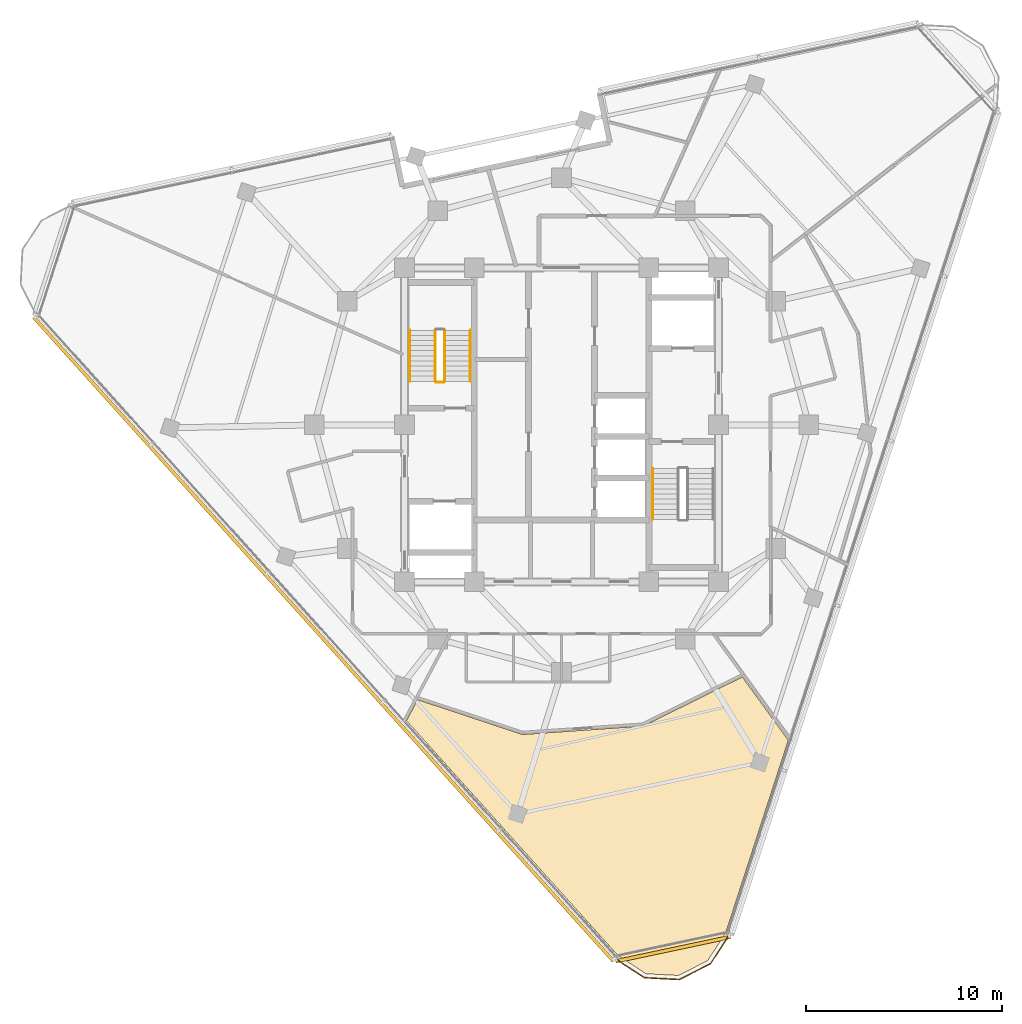
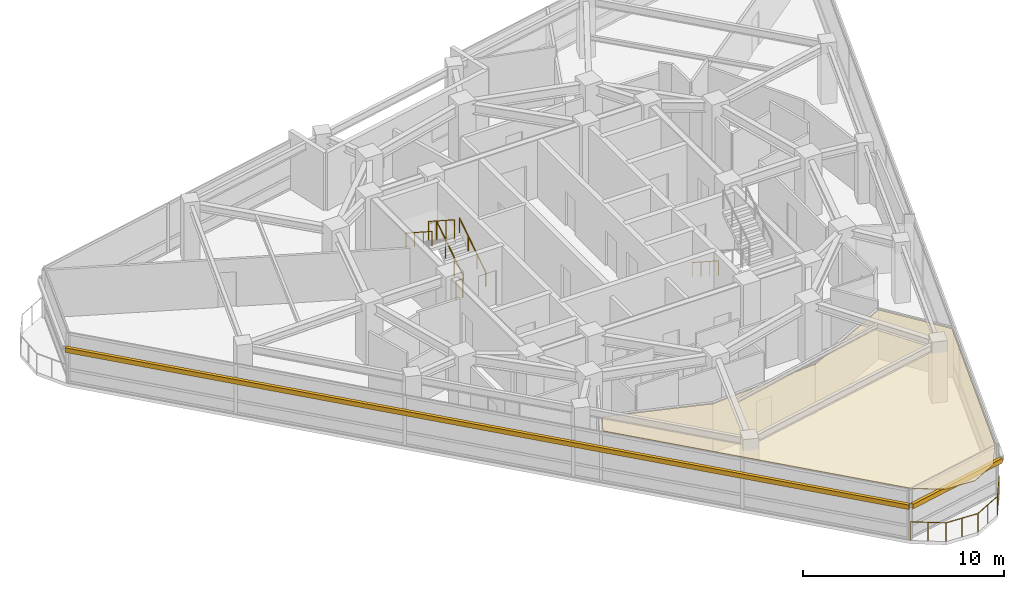
# One storey, part 12 of 15: 7 railings, 2 shading devices, 1 covering.
"""IFC4 building model written with IfcOpenShell, lengths in metres."""

from ifc_helpers import new_model, si_unit, direction, frame, origin, origin_2d, place, context, subcontext, project, spatial, polyline, rectangle, circle, outline, extrude, material, layer, layer_set, type_object, element, save


model = new_model("IFC4")

# Units and contexts
model_context = context("Model", 3, precision=1e-05, world=origin(), true_north=direction((0.0, 1.0)))
body_context = subcontext(model_context, "Body", "Model", "MODEL_VIEW")
ifc_project = project(units=[si_unit("LENGTHUNIT", "METRE"), si_unit("AREAUNIT", "SQUARE_METRE"), si_unit("VOLUMEUNIT", "CUBIC_METRE"), si_unit("PLANEANGLEUNIT", "RADIAN"), si_unit("MASSUNIT", "GRAM", prefix="KILO")], contexts=[model_context])

# Site, building, storey
site_placement = place(None, origin())
site = spatial("IfcSite", under=ifc_project, at=site_placement, CompositionType="ELEMENT")
building_placement = place(site_placement, origin())
building = spatial("IfcBuilding", under=site, at=building_placement, Name="Terralouvre Media Tower", CompositionType="ELEMENT")
storey_placement = place(building_placement, frame((0.0, 0.0, 298.0)))
storey = spatial("IfcBuildingStorey", under=building, at=storey_placement, Name="L77", CompositionType="ELEMENT", Elevation=298.0)

# Covering
ifc_material_1 = material(Name="Perforated aluminium acoustic ceiling baffle", Category="aluminium")
ifc_layer_1 = layer(ifc_material_1, 0.0400390625, Name="Perforated Acoustic Metal Tile Ceiling CL-AC1")
ifc_layer_set_1 = layer_set([ifc_layer_1], Name="Perforated aluminium acoustic ceiling baffle")
covering_type = type_object("IfcCoveringType", Name="Perforated Acoustic Metal Tile Ceiling CL-AC1", PredefinedType="CEILING", material=ifc_layer_set_1)
covering_placement = place(storey_placement, frame((0.0, 0.0, 2.97998046875), z_axis=(0.0, 0.0, 1.0), x_axis=(0.309016994375, 0.951056516295, 0.0)))
element("IfcCovering", 1, at=covering_placement, inside=storey, type_object=covering_type, Name="L77 UX Sprint Project Conference Room 4 Acoustic Ceiling", PredefinedType="CEILING", context=body_context, shape_type="SweptSolid", body=[
    extrude(outline(polyline([(-13.297607421875, -8.714111328125), (-13.30419921875, -8.706787109375), (-13.309814453125, -8.698974609375), (-13.314697265625, -8.6904296875), (-13.31884765625, -8.681640625), (-15.611572265625, -3.00732421875), (-15.61474609375, -2.998046875), (-15.616943359375, -2.98876953125), (-15.618408203125, -2.97900390625), (-15.618896484375, -2.96923828125), (-15.586181640625, 2.646484375), (-16.77587890625, 2.856689453125), (-24.83447265625, -11.10107421875), (-25.272705078125, -12.736083984375), (-24.841552734375, -14.342041015625), (-23.666015625, -15.518310546875), (-22.03125, -15.9560546875), (-11.716064453125, -15.95654296875), (-9.373046875, -12.730224609375), (-13.297607421875, -8.714111328125)])), origin(), (0.0, 0.0, 1.0), 0.0400390625),
])

# Railings
ifc_material_2 = material(Name="Stainless steel 316 handrail and balustrade", Category="steel")
ifc_layer_2 = layer(ifc_material_2, 0.06005859375, Name="Roof Edge Safety Guardrail GR-ROOF1")
ifc_layer_set_2 = layer_set([ifc_layer_2], Name="Stainless steel 316 handrail and balustrade")
railing_type_1 = type_object("IfcRailingType", Name="Roof Edge Safety Guardrail GR-ROOF1", PredefinedType="GUARDRAIL", material=ifc_layer_set_2)
railing_1_placement = place(storey_placement, frame((2.738037109375, -27.202880859375, 0.0)))
element("IfcRailing", 2, at=railing_1_placement, inside=storey, type_object=railing_type_1, Name="L77 Wind-Corner Perimeter Safety Guardrail C0", PredefinedType="GUARDRAIL", context=body_context, shape_type="SweptSolid", body=[
    extrude(circle(Radius=0.02099609375, at=origin_2d()), frame((0.0, 0.0, 1.12890625), z_axis=(0.838512544294, -0.544882292849, 0.0), x_axis=(0.544882292849, 0.838512544294, 0.0)), (0.0, 0.0, 1.0), 1.780029296875),
    extrude(circle(Radius=0.02099609375, at=origin_2d()), frame((1.49267578125, -0.969970703125, 1.12890625), z_axis=(0.998626153307, -0.052400438264, 0.0), x_axis=(0.052400438264, 0.998626153307, 0.0)), (0.0, 0.0, 1.0), 1.77978515625),
    extrude(circle(Radius=0.02099609375, at=origin_2d()), frame((3.27001953125, -1.063232421875, 1.12890625), z_axis=(0.890999717441, 0.454003858487, 0.0), x_axis=(-0.454003858487, 0.890999717441, 0.0)), (0.0, 0.0, 1.0), 1.780029296875),
    extrude(circle(Radius=0.02099609375, at=origin_2d()), frame((4.85595703125, -0.255126953125, 1.12890625), z_axis=(0.544371122697, 0.838844491413, 0.0), x_axis=(-0.838844491413, 0.544371122697, 0.0)), (0.0, 0.0, 1.0), 1.780029296875),
    extrude(circle(Radius=0.01904296875, at=origin_2d()), origin(), (0.0, 0.0, 1.0), 1.10791015625),
    extrude(circle(Radius=0.01904296875, at=origin_2d()), frame((0.746337890625, -0.48486328125, 0.0)), (0.0, 0.0, 1.0), 1.10791015625),
    extrude(circle(Radius=0.01904296875, at=origin_2d()), frame((1.49267578125, -0.969970703125, 0.0)), (0.0, 0.0, 1.0), 1.10791015625),
    extrude(circle(Radius=0.01904296875, at=origin_2d()), frame((2.38134765625, -1.0166015625, 0.0)), (0.0, 0.0, 1.0), 1.10791015625),
    extrude(circle(Radius=0.01904296875, at=origin_2d()), frame((3.27001953125, -1.063232421875, 0.0)), (0.0, 0.0, 1.0), 1.10791015625),
    extrude(circle(Radius=0.01904296875, at=origin_2d()), frame((4.06298828125, -0.6591796875, 0.0)), (0.0, 0.0, 1.0), 1.10791015625),
    extrude(circle(Radius=0.01904296875, at=origin_2d()), frame((4.85595703125, -0.255126953125, 0.0)), (0.0, 0.0, 1.0), 1.10791015625),
    extrude(circle(Radius=0.01904296875, at=origin_2d()), frame((5.34033203125, 0.491455078125, 0.0)), (0.0, 0.0, 1.0), 1.10791015625),
    extrude(circle(Radius=0.01904296875, at=origin_2d()), frame((5.824951171875, 1.238037109375, 0.0)), (0.0, 0.0, 1.0), 1.10791015625),
])
ifc_material_3 = material(Name="Stainless steel 316 handrail and balustrade", Category="steel")
ifc_layer_3 = layer(ifc_material_3, 0.050048828125, Name="Stair Flight Wall Handrail HR-INT1")
ifc_layer_set_3 = layer_set([ifc_layer_3], Name="Stainless steel 316 handrail and balustrade")
railing_type_2 = type_object("IfcRailingType", Name="Stair Flight Wall Handrail HR-INT1", PredefinedType="HANDRAIL", material=ifc_layer_set_3)
railing_2_placement = place(storey_placement, frame((-4.64990234375, 2.219970703125, 0.168212890625)))
element("IfcRailing", 3, at=railing_2_placement, inside=storey, type_object=railing_type_2, Name="L77 ST-01 stair handrail 1", PredefinedType="HANDRAIL", context=body_context, shape_type="SweptSolid", body=[
    extrude(circle(Radius=0.02392578125, at=origin_2d()), frame((0.0, 0.0, 0.8759765625), z_axis=(0.0, 0.839648411786, 0.543130320075), x_axis=(-1.0, 0.0, 0.0)), (0.0, 0.0, 1.0), 3.0966796875),
    extrude(circle(Radius=0.02099609375, at=origin_2d()), origin(), (0.0, 0.0, 1.0), 0.851806640625),
    extrude(circle(Radius=0.02099609375, at=origin_2d()), frame((0.0, 0.86669921875, 0.560546875)), (0.0, 0.0, 1.0), 0.851806640625),
    extrude(circle(Radius=0.02099609375, at=origin_2d()), frame((0.0, 1.7333984375, 1.121337890625)), (0.0, 0.0, 1.0), 0.851806640625),
    extrude(circle(Radius=0.02099609375, at=origin_2d()), frame((0.0, 2.60009765625, 1.681884765625)), (0.0, 0.0, 1.0), 0.851806640625),
])
for number, where, name in (
    (4, (-7.72998046875, 4.820068359375, 2.01806640625), "L77 ST-01 stair handrail 2"),
    (5, (4.64990234375, -2.219970703125, 0.168212890625), "L77 ST-02 stair handrail 1"),
):
    element("IfcRailing", number, at=place(storey_placement, frame(where)), inside=storey, type_object=railing_type_2, Name=name, PredefinedType="HANDRAIL", context=body_context, shape_type="SweptSolid", body=[
        extrude(circle(Radius=0.02392578125, at=origin_2d()), frame((0.0, 0.0, 0.8759765625), z_axis=(0.0, -0.839648411786, 0.543130320075), x_axis=(1.0, 0.0, 0.0)), (0.0, 0.0, 1.0), 3.0966796875),
        extrude(circle(Radius=0.02099609375, at=origin_2d()), origin(), (0.0, 0.0, 1.0), 0.851806640625),
        extrude(circle(Radius=0.02099609375, at=origin_2d()), frame((0.0, -0.86669921875, 0.560546875)), (0.0, 0.0, 1.0), 0.851806640625),
        extrude(circle(Radius=0.02099609375, at=origin_2d()), frame((0.0, -1.7333984375, 1.121337890625)), (0.0, 0.0, 1.0), 0.851806640625),
        extrude(circle(Radius=0.02099609375, at=origin_2d()), frame((0.0, -2.60009765625, 1.681884765625)), (0.0, 0.0, 1.0), 0.851806640625),
    ])
ifc_material_4 = material(Name="Stainless steel 316 handrail and balustrade", Category="steel")
ifc_layer_4 = layer(ifc_material_4, 0.050048828125, Name="Stairwell Safety Guardrail GR-INT1")
ifc_layer_set_4 = layer_set([ifc_layer_4], Name="Stainless steel 316 handrail and balustrade")
railing_type_3 = type_object("IfcRailingType", Name="Stairwell Safety Guardrail GR-INT1", PredefinedType="GUARDRAIL", material=ifc_layer_set_4)
railing_3_placement = place(storey_placement, frame((-5.949951171875, 2.219970703125, 0.168212890625)))
element("IfcRailing", 6, at=railing_3_placement, inside=storey, type_object=railing_type_3, Name="L77 ST-01 stair guard 1", PredefinedType="GUARDRAIL", context=body_context, shape_type="SweptSolid", body=[
    extrude(circle(Radius=0.02392578125, at=origin_2d()), frame((0.0, 0.0, 1.1259765625), z_axis=(0.0, 0.839648411786, 0.543130320075), x_axis=(-1.0, 0.0, 0.0)), (0.0, 0.0, 1.0), 3.0966796875),
    extrude(circle(Radius=0.02099609375, at=origin_2d()), origin(), (0.0, 0.0, 1.0), 1.101806640625),
    extrude(circle(Radius=0.02099609375, at=origin_2d()), frame((0.0, 0.86669921875, 0.560546875)), (0.0, 0.0, 1.0), 1.101806640625),
    extrude(circle(Radius=0.02099609375, at=origin_2d()), frame((0.0, 1.7333984375, 1.121337890625)), (0.0, 0.0, 1.0), 1.101806640625),
    extrude(circle(Radius=0.02099609375, at=origin_2d()), frame((0.0, 2.60009765625, 1.681884765625)), (0.0, 0.0, 1.0), 1.101806640625),
])
railing_4_placement = place(storey_placement, frame((-6.429931640625, 4.820068359375, 2.01806640625)))
element("IfcRailing", 7, at=railing_4_placement, inside=storey, type_object=railing_type_3, Name="L77 ST-01 stair guard 3", PredefinedType="GUARDRAIL", context=body_context, shape_type="SweptSolid", body=[
    extrude(circle(Radius=0.02392578125, at=origin_2d()), frame((0.0, 0.0, 1.1259765625), z_axis=(0.0, -0.839648411786, 0.543130320075), x_axis=(1.0, 0.0, 0.0)), (0.0, 0.0, 1.0), 3.0966796875),
    extrude(circle(Radius=0.02099609375, at=origin_2d()), origin(), (0.0, 0.0, 1.0), 1.101806640625),
    extrude(circle(Radius=0.02099609375, at=origin_2d()), frame((0.0, -0.86669921875, 0.560546875)), (0.0, 0.0, 1.0), 1.101806640625),
    extrude(circle(Radius=0.02099609375, at=origin_2d()), frame((0.0, -1.7333984375, 1.121337890625)), (0.0, 0.0, 1.0), 1.101806640625),
    extrude(circle(Radius=0.02099609375, at=origin_2d()), frame((0.0, -2.60009765625, 1.681884765625)), (0.0, 0.0, 1.0), 1.101806640625),
])
railing_5_placement = place(storey_placement, frame((-6.0, 2.169921875, 0.0)))
element("IfcRailing", 8, at=railing_5_placement, inside=storey, type_object=railing_type_3, Name="L77 ST-01 stair guard 4", PredefinedType="GUARDRAIL", context=body_context, shape_type="SweptSolid", body=[
    extrude(circle(Radius=0.02392578125, at=origin_2d()), frame((0.0, 0.0, 1.1259765625), z_axis=(-1.0, 0.0, 0.0), x_axis=(0.0, -1.0, 0.0)), (0.0, 0.0, 1.0), 0.3798828125),
    extrude(circle(Radius=0.02099609375, at=origin_2d()), origin(), (0.0, 0.0, 1.0), 1.101806640625),
    extrude(circle(Radius=0.02099609375, at=origin_2d()), frame((-0.3798828125, 0.0, 0.0)), (0.0, 0.0, 1.0), 1.101806640625),
])

# Shading devices
ifc_material_5 = material(Name="Extruded terracotta baguette sunshade louvres", Category="masonry")
shading_device_type = type_object("IfcShadingDeviceType", Name="Terracotta Baguette Sunshade Louvre Screen TB-LV1", PredefinedType="USERDEFINED", material=ifc_material_5)
shading_device_1_placement = place(storey_placement, frame((-12.12548828125, -10.917724609375, 2.02392578125), z_axis=(0.0, 0.0, 1.0), x_axis=(0.669130573531, -0.743144855036, 0.0)))
element("IfcShadingDevice", 9, at=shading_device_1_placement, inside=storey, type_object=shading_device_type, Name="CW-L77-F2 Terracotta Baguette Sunshade Louvre", ObjectType="BAGUETTE", PredefinedType="USERDEFINED", context=body_context, shape_type="SweptSolid", body=[
    extrude(rectangle(XDim=44.1201171875, YDim=0.179931640625, at=origin_2d()), origin(), (0.0, 0.0, 1.0), 0.280029296875),
])
shading_device_2_placement = place(storey_placement, frame((5.6787109375, -26.7158203125, 2.02392578125), z_axis=(0.0, 0.0, 1.0), x_axis=(0.978147609922, 0.207911647592, 0.0)))
element("IfcShadingDevice", 10, at=shading_device_2_placement, inside=storey, type_object=shading_device_type, Name="CW-L77-C0 Terracotta Baguette Sunshade Louvre", ObjectType="BAGUETTE", PredefinedType="USERDEFINED", context=body_context, shape_type="SweptSolid", body=[
    extrude(rectangle(XDim=5.958251953125, YDim=0.179931640625, at=origin_2d()), origin(), (0.0, 0.0, 1.0), 0.280029296875),
])

save(model, "model.ifc")
